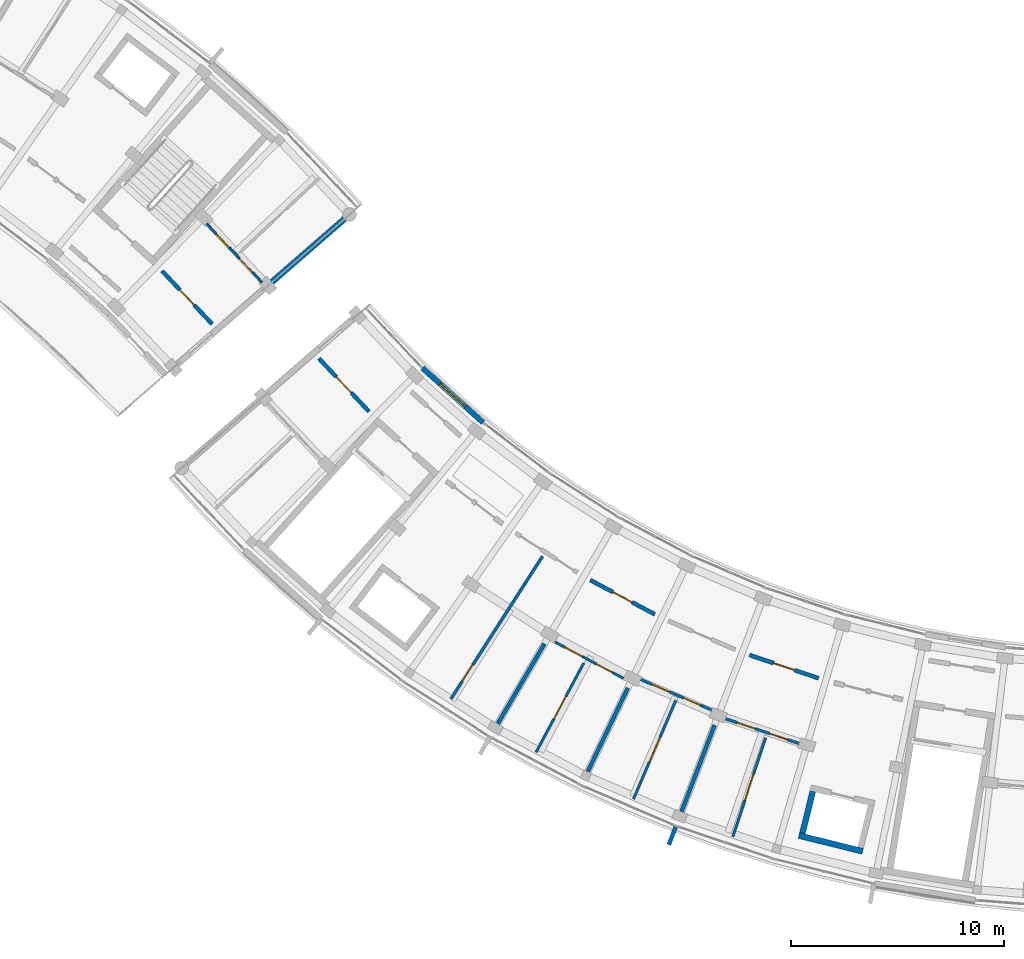
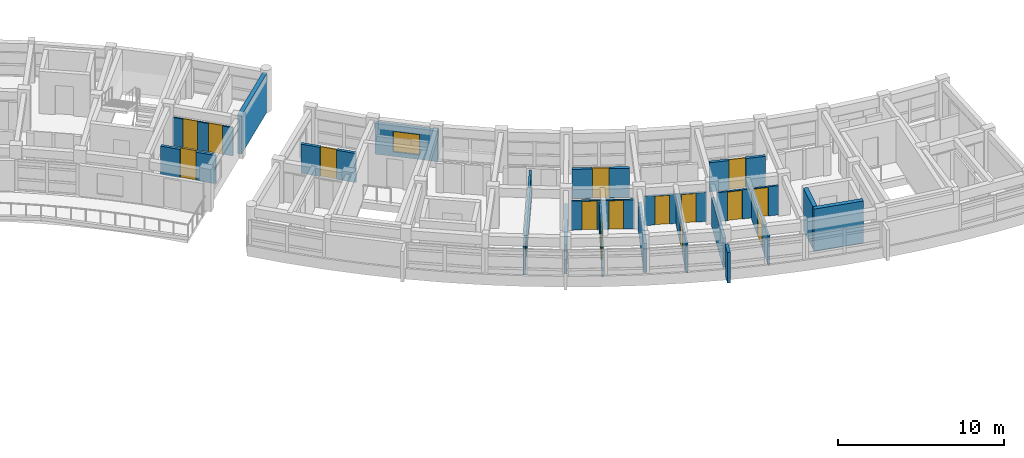
# One storey, part 25 of 38: 20 walls, 16 doors, 1 window, 17 openings.
"""IFC4 building model written with IfcOpenShell, lengths in metres."""

from ifc_helpers import new_model, si_unit, direction, frame, frame_2d, origin, place, context, subcontext, project, spatial, rectangle, extrude, material, layer, layer_set, type_object, element, fill, save


model = new_model("IFC4")

# Units and contexts
model_context = context("Model", 3, precision=1e-05, world=origin(), true_north=direction((0.0, 1.0)))
body_context = subcontext(model_context, "Body", "Model", "MODEL_VIEW")
ifc_project = project(units=[si_unit("LENGTHUNIT", "METRE"), si_unit("AREAUNIT", "SQUARE_METRE"), si_unit("VOLUMEUNIT", "CUBIC_METRE"), si_unit("PLANEANGLEUNIT", "RADIAN"), si_unit("MASSUNIT", "GRAM", prefix="KILO")], contexts=[model_context])

# Site, building, storey
site_placement = place(None, origin())
site = spatial("IfcSite", under=ifc_project, at=site_placement, CompositionType="ELEMENT")
building_placement = place(site_placement, origin())
building = spatial("IfcBuilding", under=site, at=building_placement, Name="Zimvara Arc Housing Community", CompositionType="ELEMENT")
storey_placement = place(building_placement, frame((0.0, 0.0, 29.800048828125)))
storey = spatial("IfcBuildingStorey", under=building, at=storey_placement, Name="L09", CompositionType="ELEMENT", Elevation=29.800048828125)

# Wall
ifc_material_1 = material(Name="Board-Marked Fair-Faced Concrete C35/45", Category="concrete")
ifc_layer_1 = layer(ifc_material_1, 0.195068359375)
ifc_layer_set_1 = layer_set([ifc_layer_1], Name="Board-Marked Fair-Faced Concrete C35/45")
wall_type_1 = type_object("IfcWallType", Name="EWL-PARA-195", PredefinedType="PARAPET", material=ifc_layer_set_1)
wall_1_placement = place(storey_placement, frame((104.76318359375, 54.35693359375, 0.0), z_axis=(0.0, 0.0, 1.0), x_axis=(-0.357033038474, -0.934091756434, 0.0)))
element("IfcWall", 1, at=wall_1_placement, inside=storey, type_object=wall_type_1, Name="finwall:blkC:L09:out:b6", PredefinedType="PARAPET", context=body_context, shape_type="SweptSolid", body=[
    extrude(rectangle(XDim=0.89990234375, YDim=0.195068359375, at=frame_2d((0.449951171875, 0.0))), origin(), (0.0, 0.0, 1.0), 2.25),
])

# Wall, opening, window
ifc_material_2 = material(Name="Pigmented Fair-Faced Concrete C35/45", Category="concrete")
ifc_layer_2 = layer(ifc_material_2, 0.2451171875)
ifc_layer_set_2 = layer_set([ifc_layer_2], Name="Pigmented Fair-Faced Concrete C35/45")
wall_type_2 = type_object("IfcWallType", Name="EWL-PIGM-245", PredefinedType="SOLIDWALL", material=ifc_layer_set_2)
wall_2_placement = place(storey_placement, frame((92.8642578125, 75.919921875, 0.0), z_axis=(0.0, 0.0, 1.0), x_axis=(0.743363835609, -0.668887290886, 0.0)))
wall_2 = element("IfcWall", 2, at=wall_2_placement, inside=storey, type_object=wall_type_2, Name="ewall:blkC:L09:in:b1", PredefinedType="SOLIDWALL", context=body_context, shape_type="SweptSolid", body=[
    extrude(rectangle(XDim=3.83203125, YDim=0.2451171875, at=frame_2d((1.916015625, 0.0))), origin(), (0.0, 0.0, 1.0), 2.25),
])
opening_1_placement = place(wall_2_placement, frame((1.1162109375, 0.0, 0.320068359375)))
opening_1 = element("IfcOpeningElement", 3, at=opening_1_placement, cuts=wall_2, Name="Opening W03", PredefinedType="OPENING", context=body_context, shape_type="SweptSolid", body=[
    extrude(rectangle(XDim=1.60009765625, YDim=1.5, at=frame_2d((0.800048828125, 0.75))), frame((0.0, 0.132568359375, 0.0), z_axis=(0.0, -1.0, 0.0), x_axis=(1.0, 0.0, 0.0)), (0.0, 0.0, 1.0), 0.26513671875),
])
ifc_material_3 = material(Name="Solar Control Low-E Double Glazing", Category="glass")
window_type = type_object("IfcWindowType", Name="WIN-RES-1600x1500", PartitioningType="DOUBLE_PANEL_VERTICAL", PredefinedType="WINDOW", material=ifc_material_3)
window_placement = place(opening_1_placement, origin())
window = element("IfcWindow", 4, at=window_placement, inside=storey, type_object=window_type, Name="win:blkC:L09:in:b1", OverallHeight=1.5, OverallWidth=1.60009765625, PartitioningType="DOUBLE_PANEL_VERTICAL", PredefinedType="WINDOW", context=body_context, shape_type="SweptSolid", body=[
    extrude(rectangle(XDim=1.60009765625, YDim=1.5, at=frame_2d((0.800048828125, 0.75))), frame((0.0, 0.030029296875, 0.0), z_axis=(0.0, -1.0, 0.0), x_axis=(1.0, 0.0, 0.0)), (0.0, 0.0, 1.0), 0.06005859375),
])
fill(opening_1, window)

# Wall, opening, door
ifc_material_4 = material(Name="Concrete C35/45", Category="concrete")
ifc_layer_3 = layer(ifc_material_4, 0.18994140625)
ifc_layer_set_3 = layer_set([ifc_layer_3], Name="Concrete C35/45")
wall_type_3 = type_object("IfcWallType", Name="IWL-CORR-190", PredefinedType="SOLIDWALL", material=ifc_layer_set_3)
wall_3_placement = place(storey_placement, frame((80.627685546875, 80.48291015625, 0.0), z_axis=(0.0, 0.0, 1.0), x_axis=(0.686310507227, -0.727308660522, 0.0)))
wall_3 = element("IfcWall", 5, at=wall_3_placement, inside=storey, type_object=wall_type_3, Name="iwall:blkB:L09:corr_out:b9", PredefinedType="SOLIDWALL", context=body_context, shape_type="SweptSolid", body=[
    extrude(rectangle(XDim=3.43603515625, YDim=0.18994140625, at=frame_2d((1.718017578125, 0.0))), origin(), (0.0, 0.0, 1.0), 2.079833984375),
])
opening_2_placement = place(wall_3_placement, frame((1.22802734375, 0.0, 0.0)))
opening_2 = element("IfcOpeningElement", 6, at=opening_2_placement, cuts=wall_3, Name="Opening FD-FL1", PredefinedType="OPENING", context=body_context, shape_type="SweptSolid", body=[
    extrude(rectangle(XDim=0.97998046875, YDim=2.14990234375, at=frame_2d((0.489990234375, 1.074951171875))), frame((0.0, 0.10498046875, 0.0), z_axis=(0.0, -1.0, 0.0), x_axis=(1.0, 0.0, 0.0)), (0.0, 0.0, 1.0), 0.2099609375),
])
ifc_material_5 = material(Name="Mozambican Hardwood", Category="wood")
door_type_1 = type_object("IfcDoorType", Name="IDR-FLAT-0980x2150", OperationType="NOTDEFINED", PredefinedType="DOOR", material=ifc_material_5)
door_1_placement = place(opening_2_placement, origin())
door_1 = element("IfcDoor", 7, at=door_1_placement, inside=storey, type_object=door_type_1, Name="idoor:blkB:L09:flat:b9", OperationType="SINGLE_SWING_LEFT", OverallHeight=2.14990234375, OverallWidth=0.97998046875, PredefinedType="DOOR", context=body_context, shape_type="SweptSolid", body=[
    extrude(rectangle(XDim=0.97998046875, YDim=2.14990234375, at=frame_2d((0.489990234375, 1.074951171875))), frame((0.0, 0.02490234375, 0.0), z_axis=(0.0, -1.0, 0.0), x_axis=(1.0, 0.0, 0.0)), (0.0, 0.0, 1.0), 0.050048828125),
])
fill(opening_2, door_1)

wall_4_placement = place(storey_placement, frame((87.994140625, 76.3759765625, 0.0), z_axis=(0.0, 0.0, 1.0), x_axis=(0.686310507227, -0.727308660522, 0.0)))
wall_4 = element("IfcWall", 8, at=wall_4_placement, inside=storey, type_object=wall_type_3, Name="iwall:blkC:L09:corr_out:b0", PredefinedType="SOLIDWALL", context=body_context, shape_type="SweptSolid", body=[
    extrude(rectangle(XDim=3.43603515625, YDim=0.18994140625, at=frame_2d((1.718017578125, 0.0))), origin(), (0.0, 0.0, 1.0), 2.139892578125),
])
opening_3_placement = place(wall_4_placement, frame((1.2080078125, 0.0, 0.0)))
opening_3 = element("IfcOpeningElement", 9, at=opening_3_placement, cuts=wall_4, Name="Opening FD-FL2", PredefinedType="OPENING", context=body_context, shape_type="SweptSolid", body=[
    extrude(rectangle(XDim=1.02001953125, YDim=2.14990234375, at=frame_2d((0.510009765625, 1.074951171875))), frame((0.0, 0.10498046875, 0.0), z_axis=(0.0, -1.0, 0.0), x_axis=(1.0, 0.0, 0.0)), (0.0, 0.0, 1.0), 0.2099609375),
])
ifc_material_6 = material(Name="Mozambican Hardwood", Category="wood")
door_type_2 = type_object("IfcDoorType", Name="IDR-FLAT-1020x2150", OperationType="NOTDEFINED", PredefinedType="DOOR", material=ifc_material_6)
door_2_placement = place(opening_3_placement, origin())
door_2 = element("IfcDoor", 10, at=door_2_placement, inside=storey, type_object=door_type_2, Name="idoor:blkC:L09:flat:b0", OperationType="SINGLE_SWING_RIGHT", OverallHeight=2.14990234375, OverallWidth=1.02001953125, PredefinedType="DOOR", context=body_context, shape_type="SweptSolid", body=[
    extrude(rectangle(XDim=1.02001953125, YDim=2.14990234375, at=frame_2d((0.510009765625, 1.074951171875))), frame((0.0, 0.02490234375, 0.0), z_axis=(0.0, -1.0, 0.0), x_axis=(1.0, 0.0, 0.0)), (0.0, 0.0, 1.0), 0.050048828125),
])
fill(opening_3, door_2)

wall_5_placement = place(storey_placement, frame((100.750244140625, 65.9560546875, 0.0), z_axis=(0.0, 0.0, 1.0), x_axis=(0.883440266101, -0.468543803963, 0.0)))
wall_5 = element("IfcWall", 11, at=wall_5_placement, inside=storey, type_object=wall_type_3, Name="iwall:blkC:L09:corr_out:b4", PredefinedType="SOLIDWALL", context=body_context, shape_type="SweptSolid", body=[
    extrude(rectangle(XDim=3.435791015625, YDim=0.18994140625, at=frame_2d((1.7177734375, 0.0))), origin(), (0.0, 0.0, 1.0), 2.139892578125),
])
opening_4_placement = place(wall_5_placement, frame((1.2080078125, 0.0, 0.0)))
opening_4 = element("IfcOpeningElement", 12, at=opening_4_placement, cuts=wall_5, Name="Opening FD-FL2", PredefinedType="OPENING", context=body_context, shape_type="SweptSolid", body=[
    extrude(rectangle(XDim=1.02001953125, YDim=2.14990234375, at=frame_2d((0.510009765625, 1.074951171875))), frame((0.0, 0.10498046875, 0.0), z_axis=(0.0, -1.0, 0.0), x_axis=(1.0, 0.0, 0.0)), (0.0, 0.0, 1.0), 0.2099609375),
])
door_3_placement = place(opening_4_placement, origin())
door_3 = element("IfcDoor", 13, at=door_3_placement, inside=storey, type_object=door_type_2, Name="idoor:blkC:L09:flat:b4", OperationType="SINGLE_SWING_RIGHT", OverallHeight=2.14990234375, OverallWidth=1.02001953125, PredefinedType="DOOR", context=body_context, shape_type="SweptSolid", body=[
    extrude(rectangle(XDim=1.02001953125, YDim=2.14990234375, at=frame_2d((0.510009765625, 1.074951171875))), frame((0.0, 0.02490234375, 0.0), z_axis=(0.0, -1.0, 0.0), x_axis=(1.0, 0.0, 0.0)), (0.0, 0.0, 1.0), 0.050048828125),
])
fill(opening_4, door_3)

wall_6_placement = place(storey_placement, frame((108.2265625, 62.437255859375, 0.0), z_axis=(0.0, 0.0, 1.0), x_axis=(0.947884468821, -0.318614239745, 0.0)))
wall_6 = element("IfcWall", 14, at=wall_6_placement, inside=storey, type_object=wall_type_3, Name="iwall:blkC:L09:corr_out:b6", PredefinedType="SOLIDWALL", context=body_context, shape_type="SweptSolid", body=[
    extrude(rectangle(XDim=3.435791015625, YDim=0.18994140625, at=frame_2d((1.7177734375, 0.0))), origin(), (0.0, 0.0, 1.0), 2.139892578125),
])
opening_5_placement = place(wall_6_placement, frame((1.2080078125, 0.0, 0.0)))
opening_5 = element("IfcOpeningElement", 15, at=opening_5_placement, cuts=wall_6, Name="Opening FD-FL2", PredefinedType="OPENING", context=body_context, shape_type="SweptSolid", body=[
    extrude(rectangle(XDim=1.02001953125, YDim=2.14990234375, at=frame_2d((0.510009765625, 1.074951171875))), frame((0.0, 0.10498046875, 0.0), z_axis=(0.0, -1.0, 0.0), x_axis=(1.0, 0.0, 0.0)), (0.0, 0.0, 1.0), 0.2099609375),
])
door_4_placement = place(opening_5_placement, origin())
door_4 = element("IfcDoor", 16, at=door_4_placement, inside=storey, type_object=door_type_2, Name="idoor:blkC:L09:flat:b6", OperationType="SINGLE_SWING_RIGHT", OverallHeight=2.14990234375, OverallWidth=1.02001953125, PredefinedType="DOOR", context=body_context, shape_type="SweptSolid", body=[
    extrude(rectangle(XDim=1.02001953125, YDim=2.14990234375, at=frame_2d((0.510009765625, 1.074951171875))), frame((0.0, 0.02490234375, 0.0), z_axis=(0.0, -1.0, 0.0), x_axis=(1.0, 0.0, 0.0)), (0.0, 0.0, 1.0), 0.050048828125),
])
fill(opening_5, door_4)

# Walls
ifc_material_7 = material(Name="Concrete C35/45", Category="concrete")
ifc_layer_4 = layer(ifc_material_7, 0.18505859375)
ifc_layer_set_4 = layer_set([ifc_layer_4], Name="Concrete C35/45")
wall_type_4 = type_object("IfcWallType", Name="IWL-FLAT-185", PredefinedType="SOLIDWALL", material=ifc_layer_set_4)
wall_7_placement = place(storey_placement, frame((98.6005859375, 62.968017578125, 0.0), z_axis=(0.0, 0.0, 1.0), x_axis=(-0.504216452091, -0.863577309475, 0.0)))
element("IfcWall", 17, at=wall_7_placement, inside=storey, type_object=wall_type_4, Name="iwall:blkC:L09:party:b4", PredefinedType="SOLIDWALL", context=body_context, shape_type="SweptSolid", body=[
    extrude(rectangle(XDim=4.35009765625, YDim=0.18505859375, at=frame_2d((2.175048828125, 0.0))), origin(), (0.0, 0.0, 1.0), 2.139892578125),
])
wall_8_placement = place(storey_placement, frame((102.517822265625, 60.890380859375, 0.0), z_axis=(0.0, 0.0, 1.0), x_axis=(-0.432108769108, -0.901821496561, 0.0)))
element("IfcWall", 18, at=wall_8_placement, inside=storey, type_object=wall_type_4, Name="iwall:blkC:L09:party:b5", PredefinedType="SOLIDWALL", context=body_context, shape_type="SweptSolid", body=[
    extrude(rectangle(XDim=4.349853515625, YDim=0.18505859375, at=frame_2d((2.1748046875, 0.0))), origin(), (0.0, 0.0, 1.0), 2.139892578125),
])
wall_9_placement = place(storey_placement, frame((106.59130859375, 59.139404296875, 0.0), z_axis=(0.0, 0.0, 1.0), x_axis=(-0.357064016205, -0.934079915388, 0.0)))
element("IfcWall", 19, at=wall_9_placement, inside=storey, type_object=wall_type_4, Name="iwall:blkC:L09:party:b6", PredefinedType="SOLIDWALL", context=body_context, shape_type="SweptSolid", body=[
    extrude(rectangle(XDim=4.35009765625, YDim=0.18505859375, at=frame_2d((2.175048828125, 0.0))), origin(), (0.0, 0.0, 1.0), 2.139892578125),
])

# Wall, openings, doors
ifc_material_8 = material(Name="Painted Acoustic Plasterboard")
ifc_layer_5 = layer(ifc_material_8, 0.10009765625)
ifc_layer_set_5 = layer_set([ifc_layer_5], Name="Painted Acoustic Plasterboard")
wall_type_5 = type_object("IfcWallType", Name="IWL-PART-100", PredefinedType="PARTITIONING", material=ifc_layer_set_5)
wall_10_placement = place(storey_placement, frame((82.72412109375, 82.701416015625, 0.0), z_axis=(0.0, 0.0, 1.0), x_axis=(0.686331812627, -0.72728855551, 0.0)))
wall_10 = element("IfcWall", 20, at=wall_10_placement, inside=storey, type_object=wall_type_5, Name="iwall:blkB:L09:srv:b9", PredefinedType="PARTITIONING", context=body_context, shape_type="SweptSolid", body=[
    extrude(rectangle(XDim=3.78515625, YDim=0.10009765625, at=frame_2d((1.892578125, 0.0))), origin(), (0.0, 0.0, 1.0), 2.079833984375),
])
opening_6_placement = place(wall_10_placement, frame((0.64990234375, 0.0, 0.0)))
opening_6 = element("IfcOpeningElement", 21, at=opening_6_placement, cuts=wall_10, Name="Opening D01", PredefinedType="OPENING", context=body_context, shape_type="SweptSolid", body=[
    extrude(rectangle(XDim=0.89990234375, YDim=2.10009765625, at=frame_2d((0.449951171875, 1.050048828125))), frame((0.0, 0.06005859375, 0.0), z_axis=(0.0, -1.0, 0.0), x_axis=(1.0, 0.0, 0.0)), (0.0, 0.0, 1.0), 0.1201171875),
])
opening_7_placement = place(wall_10_placement, frame((2.255126953125, 0.0, 0.0)))
opening_7 = element("IfcOpeningElement", 22, at=opening_7_placement, cuts=wall_10, Name="Opening D05", PredefinedType="OPENING", context=body_context, shape_type="SweptSolid", body=[
    extrude(rectangle(XDim=0.8798828125, YDim=2.10009765625, at=frame_2d((0.43994140625, 1.050048828125))), frame((0.0, 0.06005859375, 0.0), z_axis=(0.0, -1.0, 0.0), x_axis=(1.0, 0.0, 0.0)), (0.0, 0.0, 1.0), 0.1201171875),
])
ifc_material_9 = material(Name="Mozambican Hardwood", Category="wood")
door_type_3 = type_object("IfcDoorType", Name="IDR-RM-0900x2100", OperationType="NOTDEFINED", PredefinedType="DOOR", material=ifc_material_9)
door_5_placement = place(opening_6_placement, origin())
door_5 = element("IfcDoor", 23, at=door_5_placement, inside=storey, type_object=door_type_3, Name="idoor:blkB:L09:kit_liv:b9", OperationType="SINGLE_SWING_RIGHT", OverallHeight=2.10009765625, OverallWidth=0.89990234375, PredefinedType="DOOR", context=body_context, shape_type="SweptSolid", body=[
    extrude(rectangle(XDim=0.89990234375, YDim=2.10009765625, at=frame_2d((0.449951171875, 1.050048828125))), frame((0.0, 0.02490234375, 0.0), z_axis=(0.0, -1.0, 0.0), x_axis=(1.0, 0.0, 0.0)), (0.0, 0.0, 1.0), 0.050048828125),
])
fill(opening_6, door_5)
ifc_material_10 = material(Name="Mozambican Hardwood", Category="wood")
door_type_4 = type_object("IfcDoorType", Name="IDR-WC-0880x2100", OperationType="NOTDEFINED", PredefinedType="DOOR", material=ifc_material_10)
door_6_placement = place(opening_7_placement, origin())
door_6 = element("IfcDoor", 24, at=door_6_placement, inside=storey, type_object=door_type_4, Name="idoor:blkB:L09:bath_d:b9", OperationType="SINGLE_SWING_LEFT", OverallHeight=2.10009765625, OverallWidth=0.8798828125, PredefinedType="DOOR", context=body_context, shape_type="SweptSolid", body=[
    extrude(rectangle(XDim=0.8798828125, YDim=2.10009765625, at=frame_2d((0.43994140625, 1.050048828125))), frame((0.0, 0.02490234375, 0.0), z_axis=(0.0, -1.0, 0.0), x_axis=(1.0, 0.0, 0.0)), (0.0, 0.0, 1.0), 0.050048828125),
])
fill(opening_7, door_6)

ifc_material_11 = material(Name="Painted Acoustic Plasterboard")
ifc_layer_6 = layer(ifc_material_11, 0.1201171875)
ifc_layer_set_6 = layer_set([ifc_layer_6], Name="Painted Acoustic Plasterboard")
wall_type_6 = type_object("IfcWallType", Name="IWL-PART-120", PredefinedType="PARTITIONING", material=ifc_layer_set_6)
wall_11_placement = place(storey_placement, frame((99.016845703125, 63.086669921875, 0.0), z_axis=(0.0, 0.0, 1.0), x_axis=(0.883415075746, -0.468591297342, 0.0)))
wall_11 = element("IfcWall", 25, at=wall_11_placement, inside=storey, type_object=wall_type_6, Name="iwall:blkC:L09:srv:b4", PredefinedType="PARTITIONING", context=body_context, shape_type="SweptSolid", body=[
    extrude(rectangle(XDim=3.8095703125, YDim=0.1201171875, at=frame_2d((1.90478515625, 0.0))), origin(), (0.0, 0.0, 1.0), 2.139892578125),
])
opening_8_placement = place(wall_11_placement, frame((0.64990234375, 0.0, 0.0)))
opening_8 = element("IfcOpeningElement", 26, at=opening_8_placement, cuts=wall_11, Name="Opening D01", PredefinedType="OPENING", context=body_context, shape_type="SweptSolid", body=[
    extrude(rectangle(XDim=0.89990234375, YDim=2.10009765625, at=frame_2d((0.449951171875, 1.050048828125))), frame((0.0, 0.070068359375, 0.0), z_axis=(0.0, -1.0, 0.0), x_axis=(1.0, 0.0, 0.0)), (0.0, 0.0, 1.0), 0.14013671875),
])
opening_9_placement = place(wall_11_placement, frame((2.279541015625, 0.0, 0.0)))
opening_9 = element("IfcOpeningElement", 27, at=opening_9_placement, cuts=wall_11, Name="Opening D05", PredefinedType="OPENING", context=body_context, shape_type="SweptSolid", body=[
    extrude(rectangle(XDim=0.8798828125, YDim=2.10009765625, at=frame_2d((0.43994140625, 1.050048828125))), frame((0.0, 0.070068359375, 0.0), z_axis=(0.0, -1.0, 0.0), x_axis=(1.0, 0.0, 0.0)), (0.0, 0.0, 1.0), 0.14013671875),
])
door_7_placement = place(opening_8_placement, origin())
door_7 = element("IfcDoor", 28, at=door_7_placement, inside=storey, type_object=door_type_3, Name="idoor:blkC:L09:kit_liv:b4", OperationType="SINGLE_SWING_LEFT", OverallHeight=2.10009765625, OverallWidth=0.89990234375, PredefinedType="DOOR", context=body_context, shape_type="SweptSolid", body=[
    extrude(rectangle(XDim=0.89990234375, YDim=2.10009765625, at=frame_2d((0.449951171875, 1.050048828125))), frame((0.0, 0.02490234375, 0.0), z_axis=(0.0, -1.0, 0.0), x_axis=(1.0, 0.0, 0.0)), (0.0, 0.0, 1.0), 0.050048828125),
])
fill(opening_8, door_7)
door_8_placement = place(opening_9_placement, origin())
door_8 = element("IfcDoor", 29, at=door_8_placement, inside=storey, type_object=door_type_4, Name="idoor:blkC:L09:bath_d:b4", OperationType="SINGLE_SWING_RIGHT", OverallHeight=2.10009765625, OverallWidth=0.8798828125, PredefinedType="DOOR", context=body_context, shape_type="SweptSolid", body=[
    extrude(rectangle(XDim=0.8798828125, YDim=2.10009765625, at=frame_2d((0.43994140625, 1.050048828125))), frame((0.0, 0.02490234375, 0.0), z_axis=(0.0, -1.0, 0.0), x_axis=(1.0, 0.0, 0.0)), (0.0, 0.0, 1.0), 0.050048828125),
])
fill(opening_9, door_8)

# Wall, opening, door
wall_12_placement = place(storey_placement, frame((100.4404296875, 62.054443359375, 0.0), z_axis=(0.0, 0.0, 1.0), x_axis=(-0.471207016772, -0.882022645596, 0.0)))
wall_12 = element("IfcWall", 30, at=wall_12_placement, inside=storey, type_object=wall_type_6, Name="iwall:blkC:L09:bed_div:b4", PredefinedType="PARTITIONING", context=body_context, shape_type="SweptSolid", body=[
    extrude(rectangle(XDim=4.75, YDim=0.1201171875, at=frame_2d((2.375, 0.0))), origin(), (0.0, 0.0, 1.0), 2.139892578125),
])
opening_10_placement = place(wall_12_placement, frame((1.784912109375, 0.0, 0.0)))
opening_10 = element("IfcOpeningElement", 31, at=opening_10_placement, cuts=wall_12, Name="Opening D18", PredefinedType="OPENING", context=body_context, shape_type="SweptSolid", body=[
    extrude(rectangle(XDim=1.179931640625, YDim=2.10009765625, at=frame_2d((0.58984375, 1.050048828125))), frame((0.0, 0.070068359375, 0.0), z_axis=(0.0, -1.0, 0.0), x_axis=(1.0, 0.0, 0.0)), (0.0, 0.0, 1.0), 0.14013671875),
])
ifc_material_12 = material(Name="Mozambican Hardwood", Category="wood")
door_type_5 = type_object("IfcDoorType", Name="IDR-MOD-1180x2120", OperationType="NOTDEFINED", PredefinedType="DOOR", material=ifc_material_12)
door_9_placement = place(opening_10_placement, origin())
door_9 = element("IfcDoor", 32, at=door_9_placement, inside=storey, type_object=door_type_5, Name="idoor:blkC:L09:bed_d:b4", OperationType="SINGLE_SWING_LEFT", OverallHeight=2.10009765625, OverallWidth=1.179931640625, PredefinedType="DOOR", context=body_context, shape_type="SweptSolid", body=[
    extrude(rectangle(XDim=1.179931640625, YDim=2.10009765625, at=frame_2d((0.58984375, 1.050048828125))), frame((0.0, 0.02490234375, 0.0), z_axis=(0.0, -1.0, 0.0), x_axis=(1.0, 0.0, 0.0)), (0.0, 0.0, 1.0), 0.050048828125),
])
fill(opening_10, door_9)

wall_13_placement = place(storey_placement, frame((104.769287109375, 60.308837890625, 0.0), z_axis=(0.0, 0.0, 1.0), x_axis=(-0.393522505308, -0.919314982917, 0.0)))
wall_13 = element("IfcWall", 33, at=wall_13_placement, inside=storey, type_object=wall_type_6, Name="iwall:blkC:L09:bed_div:b5", PredefinedType="PARTITIONING", context=body_context, shape_type="SweptSolid", body=[
    extrude(rectangle(XDim=5.050048828125, YDim=0.1201171875, at=frame_2d((2.52490234375, 0.0))), origin(), (0.0, 0.0, 1.0), 2.139892578125),
])
opening_11_placement = place(wall_13_placement, frame((1.905029296875, 0.0, 0.0)))
opening_11 = element("IfcOpeningElement", 34, at=opening_11_placement, cuts=wall_13, Name="Opening D19", PredefinedType="OPENING", context=body_context, shape_type="SweptSolid", body=[
    extrude(rectangle(XDim=1.239990234375, YDim=2.10009765625, at=frame_2d((0.6201171875, 1.050048828125))), frame((0.0, 0.070068359375, 0.0), z_axis=(0.0, -1.0, 0.0), x_axis=(1.0, 0.0, 0.0)), (0.0, 0.0, 1.0), 0.14013671875),
])
ifc_material_13 = material(Name="Mozambican Hardwood", Category="wood")
door_type_6 = type_object("IfcDoorType", Name="IDR-MOD-1240x2180", OperationType="NOTDEFINED", PredefinedType="DOOR", material=ifc_material_13)
door_10_placement = place(opening_11_placement, origin())
door_10 = element("IfcDoor", 35, at=door_10_placement, inside=storey, type_object=door_type_6, Name="idoor:blkC:L09:bed_d:b5", OperationType="SINGLE_SWING_LEFT", OverallHeight=2.10009765625, OverallWidth=1.239990234375, PredefinedType="DOOR", context=body_context, shape_type="SweptSolid", body=[
    extrude(rectangle(XDim=1.239990234375, YDim=2.10009765625, at=frame_2d((0.6201171875, 1.050048828125))), frame((0.0, 0.02490234375, 0.0), z_axis=(0.0, -1.0, 0.0), x_axis=(1.0, 0.0, 0.0)), (0.0, 0.0, 1.0), 0.050048828125),
])
fill(opening_11, door_10)

wall_14_placement = place(storey_placement, frame((108.989990234375, 58.5498046875, 0.0), z_axis=(0.0, 0.0, 1.0), x_axis=(-0.314343770763, -0.949309219266, 0.0)))
wall_14 = element("IfcWall", 36, at=wall_14_placement, inside=storey, type_object=wall_type_6, Name="iwall:blkC:L09:bed_div:b6", PredefinedType="PARTITIONING", context=body_context, shape_type="SweptSolid", body=[
    extrude(rectangle(XDim=4.89990234375, YDim=0.1201171875, at=frame_2d((2.449951171875, 0.0))), origin(), (0.0, 0.0, 1.0), 2.139892578125),
])
opening_12_placement = place(wall_14_placement, frame((1.800048828125, 0.0, 0.0)))
opening_12 = element("IfcOpeningElement", 37, at=opening_12_placement, cuts=wall_14, Name="Opening D20", PredefinedType="OPENING", context=body_context, shape_type="SweptSolid", body=[
    extrude(rectangle(XDim=1.300048828125, YDim=2.10009765625, at=frame_2d((0.64990234375, 1.050048828125))), frame((0.0, 0.070068359375, 0.0), z_axis=(0.0, -1.0, 0.0), x_axis=(1.0, 0.0, 0.0)), (0.0, 0.0, 1.0), 0.14013671875),
])
ifc_material_14 = material(Name="Mozambican Hardwood", Category="wood")
door_type_7 = type_object("IfcDoorType", Name="IDR-MOD-1300x2240", OperationType="NOTDEFINED", PredefinedType="DOOR", material=ifc_material_14)
door_11_placement = place(opening_12_placement, origin())
door_11 = element("IfcDoor", 38, at=door_11_placement, inside=storey, type_object=door_type_7, Name="idoor:blkC:L09:bed_d:b6", OperationType="SINGLE_SWING_LEFT", OverallHeight=2.10009765625, OverallWidth=1.300048828125, PredefinedType="DOOR", context=body_context, shape_type="SweptSolid", body=[
    extrude(rectangle(XDim=1.300048828125, YDim=2.10009765625, at=frame_2d((0.64990234375, 1.050048828125))), frame((0.0, 0.02490234375, 0.0), z_axis=(0.0, -1.0, 0.0), x_axis=(1.0, 0.0, 0.0)), (0.0, 0.0, 1.0), 0.050048828125),
])
fill(opening_12, door_11)

# Wall, openings, doors
ifc_material_15 = material(Name="Painted Acoustic Plasterboard")
ifc_layer_7 = layer(ifc_material_15, 0.125)
ifc_layer_set_7 = layer_set([ifc_layer_7], Name="Painted Acoustic Plasterboard")
wall_type_7 = type_object("IfcWallType", Name="IWL-PART-125", PredefinedType="PARTITIONING", material=ifc_layer_set_7)
wall_15_placement = place(storey_placement, frame((103.052490234375, 61.313232421875, 0.0), z_axis=(0.0, 0.0, 1.0), x_axis=(0.918714121981, -0.39492323567, 0.0)))
wall_15 = element("IfcWall", 39, at=wall_15_placement, inside=storey, type_object=wall_type_7, Name="iwall:blkC:L09:srv:b5", PredefinedType="PARTITIONING", context=body_context, shape_type="SweptSolid", body=[
    extrude(rectangle(XDim=3.78515625, YDim=0.125, at=frame_2d((1.892578125, 0.0))), origin(), (0.0, 0.0, 1.0), 2.139892578125),
])
opening_13_placement = place(wall_15_placement, frame((0.64990234375, 0.0, 0.0)))
opening_13 = element("IfcOpeningElement", 40, at=opening_13_placement, cuts=wall_15, Name="Opening D01", PredefinedType="OPENING", context=body_context, shape_type="SweptSolid", body=[
    extrude(rectangle(XDim=0.89990234375, YDim=2.10009765625, at=frame_2d((0.449951171875, 1.050048828125))), frame((0.0, 0.072509765625, 0.0), z_axis=(0.0, -1.0, 0.0), x_axis=(1.0, 0.0, 0.0)), (0.0, 0.0, 1.0), 0.14501953125),
])
opening_14_placement = place(wall_15_placement, frame((2.255126953125, 0.0, 0.0)))
opening_14 = element("IfcOpeningElement", 41, at=opening_14_placement, cuts=wall_15, Name="Opening D05", PredefinedType="OPENING", context=body_context, shape_type="SweptSolid", body=[
    extrude(rectangle(XDim=0.8798828125, YDim=2.10009765625, at=frame_2d((0.43994140625, 1.050048828125))), frame((0.0, 0.072509765625, 0.0), z_axis=(0.0, -1.0, 0.0), x_axis=(1.0, 0.0, 0.0)), (0.0, 0.0, 1.0), 0.14501953125),
])
door_12_placement = place(opening_13_placement, origin())
door_12 = element("IfcDoor", 42, at=door_12_placement, inside=storey, type_object=door_type_3, Name="idoor:blkC:L09:kit_liv:b5", OperationType="SINGLE_SWING_LEFT", OverallHeight=2.10009765625, OverallWidth=0.89990234375, PredefinedType="DOOR", context=body_context, shape_type="SweptSolid", body=[
    extrude(rectangle(XDim=0.89990234375, YDim=2.10009765625, at=frame_2d((0.449951171875, 1.050048828125))), frame((0.0, 0.02490234375, 0.0), z_axis=(0.0, -1.0, 0.0), x_axis=(1.0, 0.0, 0.0)), (0.0, 0.0, 1.0), 0.050048828125),
])
fill(opening_13, door_12)
door_13_placement = place(opening_14_placement, origin())
door_13 = element("IfcDoor", 43, at=door_13_placement, inside=storey, type_object=door_type_4, Name="idoor:blkC:L09:bath_d:b5", OperationType="SINGLE_SWING_RIGHT", OverallHeight=2.10009765625, OverallWidth=0.8798828125, PredefinedType="DOOR", context=body_context, shape_type="SweptSolid", body=[
    extrude(rectangle(XDim=0.8798828125, YDim=2.10009765625, at=frame_2d((0.43994140625, 1.050048828125))), frame((0.0, 0.02490234375, 0.0), z_axis=(0.0, -1.0, 0.0), x_axis=(1.0, 0.0, 0.0)), (0.0, 0.0, 1.0), 0.050048828125),
])
fill(opening_14, door_13)

ifc_material_16 = material(Name="Painted Acoustic Plasterboard")
ifc_layer_8 = layer(ifc_material_16, 0.1298828125)
ifc_layer_set_8 = layer_set([ifc_layer_8], Name="Painted Acoustic Plasterboard")
wall_type_8 = type_object("IfcWallType", Name="IWL-PART-130", PredefinedType="PARTITIONING", material=ifc_layer_set_8)
wall_16_placement = place(storey_placement, frame((107.036376953125, 59.464111328125, 0.0), z_axis=(0.0, 0.0, 1.0), x_axis=(0.947883094845, -0.318618327323, 0.0)))
wall_16 = element("IfcWall", 44, at=wall_16_placement, inside=storey, type_object=wall_type_8, Name="iwall:blkC:L09:srv:b6", PredefinedType="PARTITIONING", context=body_context, shape_type="SweptSolid", body=[
    extrude(rectangle(XDim=3.797607421875, YDim=0.1298828125, at=frame_2d((1.89892578125, 0.0))), origin(), (0.0, 0.0, 1.0), 2.139892578125),
])
opening_15_placement = place(wall_16_placement, frame((0.64990234375, 0.0, 0.0)))
opening_15 = element("IfcOpeningElement", 45, at=opening_15_placement, cuts=wall_16, Name="Opening D01", PredefinedType="OPENING", context=body_context, shape_type="SweptSolid", body=[
    extrude(rectangle(XDim=0.89990234375, YDim=2.10009765625, at=frame_2d((0.449951171875, 1.050048828125))), frame((0.0, 0.074951171875, 0.0), z_axis=(0.0, -1.0, 0.0), x_axis=(1.0, 0.0, 0.0)), (0.0, 0.0, 1.0), 0.14990234375),
])
opening_16_placement = place(wall_16_placement, frame((2.267333984375, 0.0, 0.0)))
opening_16 = element("IfcOpeningElement", 46, at=opening_16_placement, cuts=wall_16, Name="Opening D05", PredefinedType="OPENING", context=body_context, shape_type="SweptSolid", body=[
    extrude(rectangle(XDim=0.8798828125, YDim=2.10009765625, at=frame_2d((0.43994140625, 1.050048828125))), frame((0.0, 0.074951171875, 0.0), z_axis=(0.0, -1.0, 0.0), x_axis=(1.0, 0.0, 0.0)), (0.0, 0.0, 1.0), 0.14990234375),
])
door_14_placement = place(opening_15_placement, origin())
door_14 = element("IfcDoor", 47, at=door_14_placement, inside=storey, type_object=door_type_3, Name="idoor:blkC:L09:kit_liv:b6", OperationType="SINGLE_SWING_LEFT", OverallHeight=2.10009765625, OverallWidth=0.89990234375, PredefinedType="DOOR", context=body_context, shape_type="SweptSolid", body=[
    extrude(rectangle(XDim=0.89990234375, YDim=2.10009765625, at=frame_2d((0.449951171875, 1.050048828125))), frame((0.0, 0.02490234375, 0.0), z_axis=(0.0, -1.0, 0.0), x_axis=(1.0, 0.0, 0.0)), (0.0, 0.0, 1.0), 0.050048828125),
])
fill(opening_15, door_14)
door_15_placement = place(opening_16_placement, origin())
door_15 = element("IfcDoor", 48, at=door_15_placement, inside=storey, type_object=door_type_4, Name="idoor:blkC:L09:bath_d:b6", OperationType="SINGLE_SWING_RIGHT", OverallHeight=2.10009765625, OverallWidth=0.8798828125, PredefinedType="DOOR", context=body_context, shape_type="SweptSolid", body=[
    extrude(rectangle(XDim=0.8798828125, YDim=2.10009765625, at=frame_2d((0.43994140625, 1.050048828125))), frame((0.0, 0.02490234375, 0.0), z_axis=(0.0, -1.0, 0.0), x_axis=(1.0, 0.0, 0.0)), (0.0, 0.0, 1.0), 0.050048828125),
])
fill(opening_16, door_15)

# Wall, opening, door
ifc_material_17 = material(Name="Painted Acoustic Plasterboard")
ifc_layer_9 = layer(ifc_material_17, 0.139892578125)
ifc_layer_set_9 = layer_set([ifc_layer_9], Name="Painted Acoustic Plasterboard")
wall_type_9 = type_object("IfcWallType", Name="IWL-PART-140", PredefinedType="PARTITIONING", material=ifc_layer_set_9)
wall_17_placement = place(storey_placement, frame((98.50390625, 67.072265625, 0.0), z_axis=(0.0, 0.0, 1.0), x_axis=(-0.540338452216, -0.841447774408, 0.0)))
wall_17 = element("IfcWall", 49, at=wall_17_placement, inside=storey, type_object=wall_type_9, Name="iwall:blkC:L09:amen_div:b3", PredefinedType="PARTITIONING", context=body_context, shape_type="SweptSolid", body=[
    extrude(rectangle(XDim=7.949951171875, YDim=0.139892578125, at=frame_2d((3.97509765625, 0.0))), origin(), (0.0, 0.0, 1.0), 2.139892578125),
])
opening_17_placement = place(wall_17_placement, frame((6.050048828125, 0.0, 0.0)))
opening_17 = element("IfcOpeningElement", 50, at=opening_17_placement, cuts=wall_17, Name="Opening D02", PredefinedType="OPENING", context=body_context, shape_type="SweptSolid", body=[
    extrude(rectangle(XDim=0.919921875, YDim=2.10009765625, at=frame_2d((0.4599609375, 1.050048828125))), frame((0.0, 0.079833984375, 0.0), z_axis=(0.0, -1.0, 0.0), x_axis=(1.0, 0.0, 0.0)), (0.0, 0.0, 1.0), 0.159912109375),
])
ifc_material_18 = material(Name="Mozambican Hardwood", Category="wood")
door_type_8 = type_object("IfcDoorType", Name="IDR-RM-0920x2100", OperationType="NOTDEFINED", PredefinedType="DOOR", material=ifc_material_18)
door_16_placement = place(opening_17_placement, origin())
door_16 = element("IfcDoor", 51, at=door_16_placement, inside=storey, type_object=door_type_8, Name="idoor:blkC:L09:laund_d:b3", OperationType="SINGLE_SWING_LEFT", OverallHeight=2.10009765625, OverallWidth=0.919921875, PredefinedType="DOOR", context=body_context, shape_type="SweptSolid", body=[
    extrude(rectangle(XDim=0.919921875, YDim=2.10009765625, at=frame_2d((0.4599609375, 1.050048828125))), frame((0.0, 0.02490234375, 0.0), z_axis=(0.0, -1.0, 0.0), x_axis=(1.0, 0.0, 0.0)), (0.0, 0.0, 1.0), 0.050048828125),
])
fill(opening_17, door_16)

# Walls
ifc_material_19 = material(Name="Concrete C40/50", Category="concrete")
ifc_layer_10 = layer(ifc_material_19, 0.280029296875)
ifc_layer_set_10 = layer_set([ifc_layer_10], Name="Concrete C40/50")
wall_type_10 = type_object("IfcWallType", Name="WL-CORE-280", PredefinedType="SHEAR", material=ifc_layer_set_10)
wall_18_placement = place(storey_placement, frame((110.552978515625, 53.953857421875, 0.0), z_axis=(0.0, 0.0, 1.0), x_axis=(0.970725280816, -0.240192483614, 0.0)))
element("IfcWall", 52, at=wall_18_placement, inside=storey, type_object=wall_type_10, Name="lwall:LP-C2:L09:back", PredefinedType="SHEAR", context=body_context, shape_type="SweptSolid", body=[
    extrude(rectangle(XDim=3.090087890625, YDim=0.280029296875, at=frame_2d((1.544921875, 0.0))), origin(), (0.0, 0.0, 1.0), 3.099853515625),
])
wall_19_placement = place(storey_placement, frame((111.210205078125, 56.026611328125, 0.0), z_axis=(0.0, 0.0, 1.0), x_axis=(-0.240186044774, -0.970726873995, 0.0)))
element("IfcWall", 53, at=wall_19_placement, inside=storey, type_object=wall_type_10, Name="lwall:LP-C2:L09:left", PredefinedType="SHEAR", context=body_context, shape_type="SweptSolid", body=[
    extrude(rectangle(XDim=2.02978515625, YDim=0.280029296875, at=frame_2d((1.014892578125, 0.0))), origin(), (0.0, 0.0, 1.0), 3.099853515625),
])
ifc_material_20 = material(Name="Concrete C40/50", Category="concrete")
ifc_layer_11 = layer(ifc_material_20, 0.27001953125)
ifc_layer_set_11 = layer_set([ifc_layer_11], Name="Concrete C40/50")
wall_type_11 = type_object("IfcWallType", Name="WL-SHEAR-270", PredefinedType="SHEAR", material=ifc_layer_set_11)
wall_20_placement = place(storey_placement, frame((85.7392578125, 79.9140625, 0.0), z_axis=(0.0, 0.0, 1.0), x_axis=(0.754703505217, 0.65606601742, 0.0)))
element("IfcWall", 54, at=wall_20_placement, inside=storey, type_object=wall_type_11, Name="swall:blkB:L09:east", PredefinedType="SHEAR", context=body_context, shape_type="SweptSolid", body=[
    extrude(rectangle(XDim=4.719970703125, YDim=0.27001953125, at=frame_2d((2.35986328125, 0.0))), origin(), (0.0, 0.0, 1.0), 2.85986328125),
])

save(model, "model.ifc")
